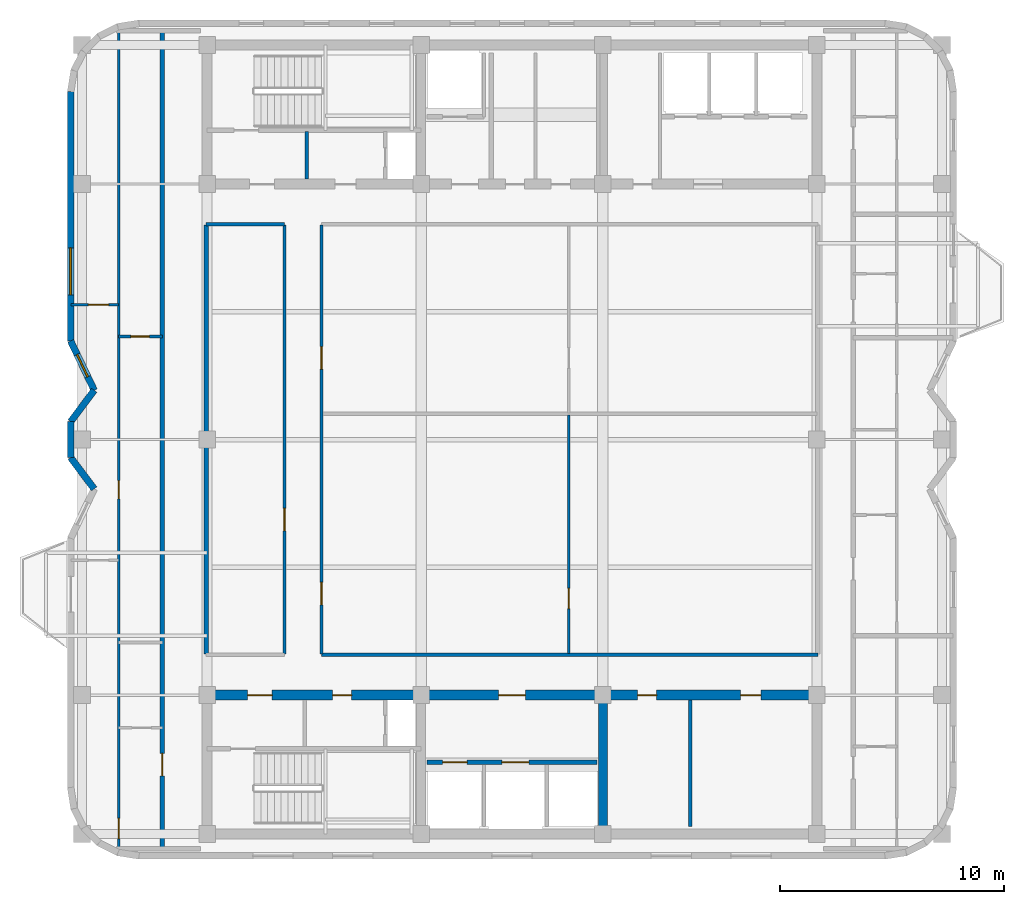
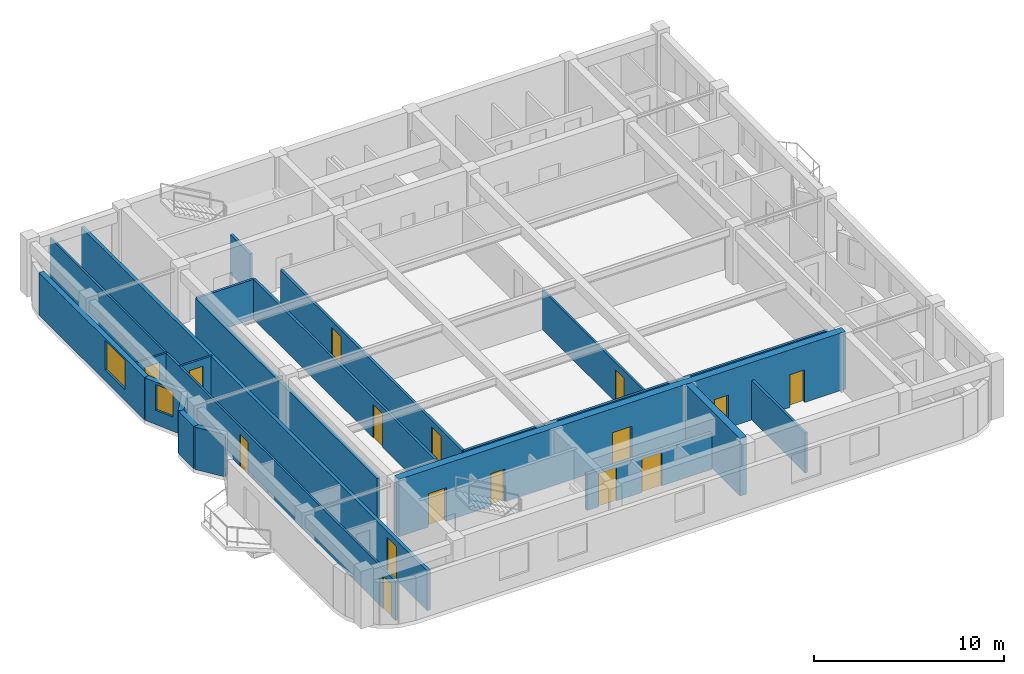
# One storey, part 3 of 8: 20 walls, 16 doors, 2 windows, 18 openings.
"""IFC4 building model written with IfcOpenShell, lengths in metres."""

import ifcopenshell
import ifcopenshell.guid

model = None  # the IFC model being written
_history = None  # IfcOwnerHistory: only IFC2X3 demands one
_inside = {}  # id of a spatial element -> (the spatial element, [elements in it])
_under = {}  # id of a project, library or spatial element -> (it, [spatial elements below it])
_declared = {}  # id of a project -> (the project, [libraries it declares])
_typed = {}  # id of a type object -> (the type object, [elements of that type])
_made_of = {}  # id of a material, layer set ... -> (it, [elements and type objects made of it])


def new_model(schema):
    """Start an empty IFC model of exactly this schema.

    Asked for "IFC4X3", IfcOpenShell would pick the latest addendum, in which some entities
    have other attributes; the version numbers below select the first issue.
    IFC2X3 requires an IfcOwnerHistory on every rooted entity: one is made here for all.
    """
    global model, _history
    if schema == "IFC4X3":
        model = ifcopenshell.file(schema_version=(4, 3, 0, 0))
    else:
        model = ifcopenshell.file(schema=schema)
    _inside.clear()
    _under.clear()
    _declared.clear()
    _typed.clear()
    _made_of.clear()
    _history = None
    if model.schema == "IFC2X3":
        org = make("IfcOrganization", Name="unknown")
        user = make(
            "IfcPersonAndOrganization",
            ThePerson=make("IfcPerson", FamilyName="unknown"),
            TheOrganization=org,
        )
        app = make(
            "IfcApplication",
            ApplicationDeveloper=org,
            Version="unknown",
            ApplicationFullName="unknown",
            ApplicationIdentifier="unknown",
        )
        _history = make(
            "IfcOwnerHistory",
            OwningUser=user,
            OwningApplication=app,
            ChangeAction="ADDED",
            CreationDate=0,
        )
    return model


def make(cls, **values):
    """One entity of the class cls with the attributes given. An attribute that is None is left unset."""
    return model.create_entity(
        cls, **{name: value for name, value in values.items() if value is not None}
    )


def rooted(cls, **values):
    """An entity with a GlobalId (a new one), such as an element, a storey or a relation."""
    return make(cls, GlobalId=ifcopenshell.guid.new(), OwnerHistory=_history, **values)


def si_unit(unit_type, name, prefix=None):
    """IfcSIUnit, for example si_unit("LENGTHUNIT", "METRE", prefix="MILLI")."""
    return make("IfcSIUnit", UnitType=unit_type, Prefix=prefix, Name=name)


def assignment(units):
    """IfcUnitAssignment: the units of a project."""
    return None if units is None else make("IfcUnitAssignment", Units=units)


def point(xyz):
    """IfcCartesianPoint."""
    return None if xyz is None else make("IfcCartesianPoint", Coordinates=xyz)


def direction(xyz):
    """IfcDirection."""
    return None if xyz is None else make("IfcDirection", DirectionRatios=xyz)


def frame(location, z_axis=None, x_axis=None):
    """IfcAxis2Placement3D, a coordinate frame: its origin and axes. An axis left out is left unset."""
    return make(
        "IfcAxis2Placement3D",
        Location=point(location),
        Axis=direction(z_axis),
        RefDirection=direction(x_axis),
    )


def frame_2d(location, x_axis=None):
    """IfcAxis2Placement2D, a coordinate frame in the plane: its origin and x axis."""
    return make(
        "IfcAxis2Placement2D", Location=point(location), RefDirection=direction(x_axis)
    )


def origin():
    """The frame at (0, 0, 0) with its axes left unset."""
    return frame((0.0, 0.0, 0.0))


def place(relative_to, where):
    """IfcLocalPlacement: puts the frame where relative to a parent placement (None: the world)."""
    return make(
        "IfcLocalPlacement", PlacementRelTo=relative_to, RelativePlacement=where
    )


def context(
    kind, dimensions, precision=None, world=None, true_north=None, identifier=None
):
    """IfcGeometricRepresentationContext, for example the 3D "Model" context."""
    return make(
        "IfcGeometricRepresentationContext",
        ContextIdentifier=identifier,
        ContextType=kind,
        CoordinateSpaceDimension=dimensions,
        Precision=precision,
        WorldCoordinateSystem=world,
        TrueNorth=true_north,
    )


def subcontext(parent, identifier, kind, view, scale=None):
    """IfcGeometricRepresentationSubContext, for example "Body" below "Model"."""
    return make(
        "IfcGeometricRepresentationSubContext",
        ContextIdentifier=identifier,
        ContextType=kind,
        ParentContext=parent,
        TargetScale=scale,
        TargetView=view,
    )


def project(units=None, contexts=None):
    """IfcProject with its units and contexts."""
    return rooted(
        "IfcProject",
        Name="project",
        RepresentationContexts=contexts,
        UnitsInContext=assignment(units),
    )


def spatial(cls, under=None, at=None, **own):
    """A site, building, storey or space (cls), placed at a placement, below another one or the project."""
    s = rooted(cls, ObjectPlacement=at, **own)
    if under is not None:
        _under.setdefault(under.id(), (under, []))[1].append(s)
    return s


def profile(cls, at=None, kind="AREA", **sizes):
    """A parametric profile (cls). Its sizes go by their IFC names, for example OverallWidth=200.0."""
    return make(cls, ProfileType=kind, Position=at, **sizes)


def rectangle(**sizes):
    """IfcRectangleProfileDef."""
    return profile("IfcRectangleProfileDef", **sizes)


def extrude(swept, where, along, depth):
    """IfcExtrudedAreaSolid: the profile swept, set in the frame where, extruded along a direction by depth."""
    return make(
        "IfcExtrudedAreaSolid",
        SweptArea=swept,
        Position=where,
        ExtrudedDirection=direction(along),
        Depth=depth,
    )


def shape(context_of_items, identifier, shape_type, items):
    """IfcShapeRepresentation: the items that make up one representation, for example the "Body"."""
    return make(
        "IfcShapeRepresentation",
        ContextOfItems=context_of_items,
        RepresentationIdentifier=identifier,
        RepresentationType=shape_type,
        Items=items,
    )


def material(Name=None, Category=None):
    """IfcMaterial."""
    return make("IfcMaterial", Name=Name, Category=Category)


def layer(
    of_material, thickness, ventilated=None, Name=None, Category=None, Priority=None
):
    """IfcMaterialLayer: one layer of a wall or slab, of a material (None: an air gap)."""
    return make(
        "IfcMaterialLayer",
        Material=of_material,
        LayerThickness=thickness,
        IsVentilated=ventilated,
        Name=Name,
        Category=Category,
        Priority=Priority,
    )


def layer_set(layers, Name=None):
    """IfcMaterialLayerSet."""
    return make("IfcMaterialLayerSet", MaterialLayers=layers, LayerSetName=Name)


def made_of(thing, what):
    """Note that an element or type object is made of a material, layer set ...; save() writes the relation."""
    if what is not None:
        _made_of.setdefault(what.id(), (what, []))[1].append(thing)
    return thing


def type_object(cls, material=None, **own):
    """A type object (cls), such as IfcWallType, which elements share."""
    return made_of(rooted(cls, **own), material)


def element(
    cls,
    number,
    at=None,
    inside=None,
    cuts=None,
    type_object=None,
    material=None,
    context=None,
    identifier="Body",
    shape_type=None,
    held_by="IfcProductDefinitionShape",
    body=None,
    shapes=None,
    **own,
):
    """One element of the class cls, such as IfcWall. Its Tag is "e" and its number.

    at: its placement. inside: the storey or other place that contains it. cuts: it is an
    opening in that element (IfcRelVoidsElement). A single representation is given by context,
    identifier, shape_type and body (its items); several are given by shapes. held_by: the class
    of the entity that holds the representations. save() writes the other relations.
    """
    e = rooted(cls, Tag="e%d" % number, ObjectPlacement=at, **own)
    if body is not None:
        shapes = [shape(context, identifier, shape_type, body)]
    if shapes is not None:
        e.Representation = make(held_by, Representations=shapes)
    if inside is not None:
        _inside.setdefault(inside.id(), (inside, []))[1].append(e)
    if cuts is not None:
        rooted(
            "IfcRelVoidsElement", RelatingBuildingElement=cuts, RelatedOpeningElement=e
        )
    if type_object is not None:
        _typed.setdefault(type_object.id(), (type_object, []))[1].append(e)
    return made_of(e, material)


def fill(opening, filler):
    """IfcRelFillsElement: the door or window that sits in an opening."""
    return rooted(
        "IfcRelFillsElement",
        RelatingOpeningElement=opening,
        RelatedBuildingElement=filler,
    )


def aggregate(whole, parts):
    """IfcRelAggregates: a whole, such as a stair, and the parts it consists of."""
    return rooted("IfcRelAggregates", RelatingObject=whole, RelatedObjects=parts)


def save(model, path):
    """Write the relations noted so far, then the file.

    IfcRelAggregates (storeys below a building ...), IfcRelContainedInSpatialStructure (elements
    in a storey), IfcRelDefinesByType, IfcRelAssociatesMaterial and IfcRelDeclares: one each for
    every whole, place, type object, material and project.
    """
    for whole, parts in _under.values():
        aggregate(whole, parts)
    for where, things in _inside.values():
        rooted(
            "IfcRelContainedInSpatialStructure",
            RelatedElements=things,
            RelatingStructure=where,
        )
    for kind, things in _typed.values():
        rooted("IfcRelDefinesByType", RelatedObjects=things, RelatingType=kind)
    for what, things in _made_of.values():
        rooted("IfcRelAssociatesMaterial", RelatedObjects=things, RelatingMaterial=what)
    for by, libraries in _declared.values():
        rooted("IfcRelDeclares", RelatingContext=by, RelatedDefinitions=libraries)
    model.write(path)


model = new_model("IFC4")

# Units and contexts
model_context = context("Model", 3, precision=1e-05, world=origin(), true_north=direction((0.0, 1.0)))
body_context = subcontext(model_context, "Body", "Model", "MODEL_VIEW")
ifc_project = project(units=[si_unit("LENGTHUNIT", "METRE"), si_unit("AREAUNIT", "SQUARE_METRE"), si_unit("VOLUMEUNIT", "CUBIC_METRE"), si_unit("PLANEANGLEUNIT", "RADIAN"), si_unit("MASSUNIT", "GRAM", prefix="KILO")], contexts=[model_context])

# Site, building, storey
site_placement = place(None, origin())
site = spatial("IfcSite", under=ifc_project, at=site_placement, CompositionType="ELEMENT")
building_placement = place(site_placement, origin())
building = spatial("IfcBuilding", under=site, at=building_placement, Name="Svetorya Sky Lyceum", CompositionType="ELEMENT")
storey_placement = place(building_placement, frame((0.0, 0.0, 278.699951171875)))
storey = spatial("IfcBuildingStorey", under=building, at=storey_placement, Name="L70", CompositionType="ELEMENT", Elevation=278.699951171875)

# Wall
ifc_material_1 = material(Name="Concrete C40/50", Category="concrete")
ifc_layer_1 = layer(ifc_material_1, 0.39990234375)
ifc_layer_set_1 = layer_set([ifc_layer_1], Name="Concrete C40/50")
wall_type_1 = type_object("IfcWallType", Name="WL-CORE-400", PredefinedType="SHEAR", material=ifc_layer_set_1)
wall_1_placement = place(storey_placement, frame((43.25, 10.824951171875, 0.0), z_axis=(0.0, 0.0, 1.0), x_axis=(0.0, 1.0, 0.0)))
element("IfcWall", 1, at=wall_1_placement, inside=storey, type_object=wall_type_1, Name="L70 SC Internal Shear Web WEB2", PredefinedType="SHEAR", context=body_context, shape_type="SweptSolid", body=[
    extrude(rectangle(XDim=5.75, YDim=0.39990234375, at=frame_2d((2.875, 0.0))), origin(), (0.0, 0.0, 1.0), 3.699951171875),
])

# Wall, openings, doors
ifc_material_2 = material(Name="Concrete C50/60", Category="concrete")
ifc_layer_2 = layer(ifc_material_2, 0.449951171875)
ifc_layer_set_2 = layer_set([ifc_layer_2], Name="Concrete C50/60")
wall_type_2 = type_object("IfcWallType", Name="WL-CORE-450", PredefinedType="SHEAR", material=ifc_layer_set_2)
wall_2_placement = place(storey_placement, frame((25.60009765625, 16.800048828125, 0.0), z_axis=(0.0, 0.0, 1.0), x_axis=(1.0, 0.0, 0.0)))
wall_2 = element("IfcWall", 2, at=wall_2_placement, inside=storey, type_object=wall_type_2, Name="L70 SC Inner Core Shear Wall", PredefinedType="SHEAR", context=body_context, shape_type="SweptSolid", body=[
    extrude(rectangle(XDim=27.199951171875, YDim=0.449951171875, at=frame_2d((13.60009765625, 0.0))), origin(), (0.0, 0.0, 1.0), 3.699951171875),
])
opening_1_placement = place(wall_2_placement, frame((1.800048828125, 0.0, 0.0)))
opening_1 = element("IfcOpeningElement", 3, at=opening_1_placement, cuts=wall_2, Name="Opening D-ST1", PredefinedType="OPENING", context=body_context, shape_type="SweptSolid", body=[
    extrude(rectangle(XDim=1.10009765625, YDim=2.14990234375, at=frame_2d((0.550048828125, 1.074951171875))), frame((0.0, 0.23486328125, 0.0), z_axis=(0.0, -1.0, 0.0), x_axis=(1.0, 0.0, 0.0)), (0.0, 0.0, 1.0), 0.469970703125),
])
opening_2_placement = place(wall_2_placement, frame((5.60009765625, 0.0, 0.0)))
opening_2 = element("IfcOpeningElement", 4, at=opening_2_placement, cuts=wall_2, Name="Opening D-CWC1", PredefinedType="OPENING", context=body_context, shape_type="SweptSolid", body=[
    extrude(rectangle(XDim=0.85009765625, YDim=2.10009765625, at=frame_2d((0.425048828125, 1.050048828125))), frame((0.0, 0.23486328125, 0.0), z_axis=(0.0, -1.0, 0.0), x_axis=(1.0, 0.0, 0.0)), (0.0, 0.0, 1.0), 0.469970703125),
])
opening_3_placement = place(wall_2_placement, frame((13.0, 0.0, 0.0)))
opening_3 = element("IfcOpeningElement", 5, at=opening_3_placement, cuts=wall_2, Name="Opening D-FL1", PredefinedType="OPENING", context=body_context, shape_type="SweptSolid", body=[
    extrude(rectangle(XDim=1.199951171875, YDim=2.14990234375, at=frame_2d((0.60009765625, 1.074951171875))), frame((0.0, 0.23486328125, 0.0), z_axis=(0.0, -1.0, 0.0), x_axis=(1.0, 0.0, 0.0)), (0.0, 0.0, 1.0), 0.469970703125),
])
opening_4_placement = place(wall_2_placement, frame((19.199951171875, 0.0, 0.0)))
opening_4 = element("IfcOpeningElement", 6, at=opening_4_placement, cuts=wall_2, Name="Opening D-CWC1", PredefinedType="OPENING", context=body_context, shape_type="SweptSolid", body=[
    extrude(rectangle(XDim=0.85009765625, YDim=2.10009765625, at=frame_2d((0.425048828125, 1.050048828125))), frame((0.0, 0.23486328125, 0.0), z_axis=(0.0, -1.0, 0.0), x_axis=(1.0, 0.0, 0.0)), (0.0, 0.0, 1.0), 0.469970703125),
])
opening_5_placement = place(wall_2_placement, frame((23.800048828125, 0.0, 0.0)))
opening_5 = element("IfcOpeningElement", 7, at=opening_5_placement, cuts=wall_2, Name="Opening D-RM1", PredefinedType="OPENING", context=body_context, shape_type="SweptSolid", body=[
    extrude(rectangle(XDim=0.89990234375, YDim=2.10009765625, at=frame_2d((0.449951171875, 1.050048828125))), frame((0.0, 0.23486328125, 0.0), z_axis=(0.0, -1.0, 0.0), x_axis=(1.0, 0.0, 0.0)), (0.0, 0.0, 1.0), 0.469970703125),
])
ifc_material_3 = material(Name="Fire-rated galvanized steel core service closet door", Category="steel")
door_type_1 = type_object("IfcDoorType", Name="DR-CWET-850", OperationType="SINGLE_SWING_LEFT", PredefinedType="DOOR", material=ifc_material_3)
door_1_placement = place(opening_2_placement, origin())
door_1 = element("IfcDoor", 8, at=door_1_placement, inside=storey, type_object=door_type_1, Name="L70 South Hydrant Room Door", OperationType="SINGLE_SWING_LEFT", OverallHeight=2.10009765625, OverallWidth=0.85009765625, PredefinedType="DOOR", context=body_context, shape_type="SweptSolid", body=[
    extrude(rectangle(XDim=0.85009765625, YDim=2.10009765625, at=frame_2d((0.425048828125, 1.050048828125))), frame((0.0, 0.02490234375, 0.0), z_axis=(0.0, -1.0, 0.0), x_axis=(1.0, 0.0, 0.0)), (0.0, 0.0, 1.0), 0.050048828125),
])
fill(opening_2, door_1)
door_2_placement = place(opening_4_placement, origin())
door_2 = element("IfcDoor", 9, at=door_2_placement, inside=storey, type_object=door_type_1, Name="L70 Laundry Door", OperationType="SINGLE_SWING_RIGHT", OverallHeight=2.10009765625, OverallWidth=0.85009765625, PredefinedType="DOOR", context=body_context, shape_type="SweptSolid", body=[
    extrude(rectangle(XDim=0.85009765625, YDim=2.10009765625, at=frame_2d((0.425048828125, 1.050048828125))), frame((0.0, 0.02490234375, 0.0), z_axis=(0.0, -1.0, 0.0), x_axis=(1.0, 0.0, 0.0)), (0.0, 0.0, 1.0), 0.050048828125),
])
fill(opening_4, door_2)
ifc_material_4 = material(Name="Powder-coated insulated galvanized stair fire door")
door_type_2 = type_object("IfcDoorType", Name="DR-FIRE-1100", OperationType="SINGLE_SWING_LEFT", PredefinedType="DOOR", material=ifc_material_4)
door_3_placement = place(opening_1_placement, origin())
door_3 = element("IfcDoor", 10, at=door_3_placement, inside=storey, type_object=door_type_2, Name="L70 South Stair Airlock Door", OperationType="SINGLE_SWING_RIGHT", OverallHeight=2.14990234375, OverallWidth=1.10009765625, PredefinedType="DOOR", context=body_context, shape_type="SweptSolid", body=[
    extrude(rectangle(XDim=1.10009765625, YDim=2.14990234375, at=frame_2d((0.550048828125, 1.074951171875))), frame((0.0, 0.02490234375, 0.0), z_axis=(0.0, -1.0, 0.0), x_axis=(1.0, 0.0, 0.0)), (0.0, 0.0, 1.0), 0.050048828125),
])
fill(opening_1, door_3)
ifc_material_5 = material(Name="Powder-coated insulated galvanized fire door")
door_type_3 = type_object("IfcDoorType", Name="DR-FIRE-1200", OperationType="SINGLE_SWING_LEFT", PredefinedType="DOOR", material=ifc_material_5)
door_4_placement = place(opening_3_placement, origin())
door_4 = element("IfcDoor", 11, at=door_4_placement, inside=storey, type_object=door_type_3, Name="L70 South Firefighting Lift Lobby Door", OperationType="SINGLE_SWING_LEFT", OverallHeight=2.14990234375, OverallWidth=1.199951171875, PredefinedType="DOOR", context=body_context, shape_type="SweptSolid", body=[
    extrude(rectangle(XDim=1.199951171875, YDim=2.14990234375, at=frame_2d((0.60009765625, 1.074951171875))), frame((0.0, 0.02490234375, 0.0), z_axis=(0.0, -1.0, 0.0), x_axis=(1.0, 0.0, 0.0)), (0.0, 0.0, 1.0), 0.050048828125),
])
fill(opening_3, door_4)
ifc_material_6 = material(Name="Lacquered birch veneer internal door")
door_type_4 = type_object("IfcDoorType", Name="DR-INT-900", OperationType="SINGLE_SWING_LEFT", PredefinedType="DOOR", material=ifc_material_6)
door_5_placement = place(opening_5_placement, origin())
door_5 = element("IfcDoor", 12, at=door_5_placement, inside=storey, type_object=door_type_4, Name="L70 Pantry Door", OperationType="SINGLE_SWING_LEFT", OverallHeight=2.10009765625, OverallWidth=0.89990234375, PredefinedType="DOOR", context=body_context, shape_type="SweptSolid", body=[
    extrude(rectangle(XDim=0.89990234375, YDim=2.10009765625, at=frame_2d((0.449951171875, 1.050048828125))), frame((0.0, 0.02490234375, 0.0), z_axis=(0.0, -1.0, 0.0), x_axis=(1.0, 0.0, 0.0)), (0.0, 0.0, 1.0), 0.050048828125),
])
fill(opening_5, door_5)

# Wall, opening, window
ifc_material_7 = material(Name="Putilovo limestone rainscreen on autoclaved cellular masonry", Category="masonry")
ifc_layer_3 = layer(ifc_material_7, 0.300048828125)
ifc_layer_set_3 = layer_set([ifc_layer_3], Name="Putilovo limestone rainscreen on autoclaved cellular masonry")
wall_type_3 = type_object("IfcWallType", Name="WL-EXT-300", PredefinedType="SOLIDWALL", material=ifc_layer_set_3)
wall_3_placement = place(storey_placement, frame((19.510009765625, 43.719970703125, 0.0), z_axis=(0.0, 0.0, 1.0), x_axis=(0.0, -1.0, 0.0)))
wall_3 = element("IfcWall", 13, at=wall_3_placement, inside=storey, type_object=wall_type_3, Name="L70 Limestone Exterior Wall 30M", PredefinedType="SOLIDWALL", context=body_context, shape_type="SweptSolid", body=[
    extrude(rectangle(XDim=11.119873046875, YDim=0.300048828125, at=frame_2d((5.56005859375, 0.0))), origin(), (0.0, 0.0, 1.0), 2.72998046875),
])
opening_6_placement = place(wall_3_placement, frame((6.965087890625, 0.0, 0.7099609375)))
opening_6 = element("IfcOpeningElement", 14, at=opening_6_placement, cuts=wall_3, Name="Opening W-R0", PredefinedType="OPENING", context=body_context, shape_type="SweptSolid", body=[
    extrude(rectangle(XDim=2.10009765625, YDim=1.89990234375, at=frame_2d((1.050048828125, 0.949951171875))), frame((0.0, 0.159912109375, 0.0), z_axis=(0.0, -1.0, 0.0), x_axis=(1.0, 0.0, 0.0)), (0.0, 0.0, 1.0), 0.320068359375),
])
ifc_material_8 = material(Name="Thermally broken aluminium frame with triple low-E glazing", Category="aluminium")
window_type_1 = type_object("IfcWindowType", Name="WN-RES-210", PartitioningType="TRIPLE_PANEL_VERTICAL", PredefinedType="WINDOW", material=ifc_material_8)
window_1_placement = place(opening_6_placement, origin())
window_1 = element("IfcWindow", 15, at=window_1_placement, inside=storey, type_object=window_type_1, Name="L70 Facade Window W-R0.30M.1", OverallHeight=1.89990234375, OverallWidth=2.10009765625, PartitioningType="SINGLE_PANEL", PredefinedType="WINDOW", context=body_context, shape_type="SweptSolid", body=[
    extrude(rectangle(XDim=2.10009765625, YDim=1.89990234375, at=frame_2d((1.050048828125, 0.949951171875))), frame((0.0, 0.030029296875, 0.0), z_axis=(0.0, -1.0, 0.0), x_axis=(1.0, 0.0, 0.0)), (0.0, 0.0, 1.0), 0.06005859375),
])
fill(opening_6, window_1)

wall_4_placement = place(storey_placement, frame((19.510009765625, 32.60009765625, 0.0), z_axis=(0.0, 0.0, 1.0), x_axis=(0.430714756408, -0.902488115496, 0.0)))
wall_4 = element("IfcWall", 16, at=wall_4_placement, inside=storey, type_object=wall_type_3, Name="L70 Limestone Exterior Wall 31M", PredefinedType="SOLIDWALL", context=body_context, shape_type="SweptSolid", body=[
    extrude(rectangle(XDim=2.43798828125, YDim=0.300048828125, at=frame_2d((1.218994140625, 0.0))), origin(), (0.0, 0.0, 1.0), 2.72998046875),
])
opening_7_placement = place(wall_4_placement, frame((0.6689453125, 0.0, 0.919921875)))
opening_7 = element("IfcOpeningElement", 17, at=opening_7_placement, cuts=wall_4, Name="Opening W-R3", PredefinedType="OPENING", context=body_context, shape_type="SweptSolid", body=[
    extrude(rectangle(XDim=1.10009765625, YDim=1.64990234375, at=frame_2d((0.550048828125, 0.824951171875))), frame((0.0, 0.159912109375, 0.0), z_axis=(0.0, -1.0, 0.0), x_axis=(1.0, 0.0, 0.0)), (0.0, 0.0, 1.0), 0.320068359375),
])
window_type_2 = type_object("IfcWindowType", Name="WN-RES-110", PartitioningType="SINGLE_PANEL", PredefinedType="WINDOW", material=ifc_material_8)
window_2_placement = place(opening_7_placement, origin())
window_2 = element("IfcWindow", 18, at=window_2_placement, inside=storey, type_object=window_type_2, Name="L70 Facade Window W-R3.31M.1", OverallHeight=1.64990234375, OverallWidth=1.10009765625, PartitioningType="SINGLE_PANEL", PredefinedType="WINDOW", context=body_context, shape_type="SweptSolid", body=[
    extrude(rectangle(XDim=1.10009765625, YDim=1.64990234375, at=frame_2d((0.550048828125, 0.824951171875))), frame((0.0, 0.030029296875, 0.0), z_axis=(0.0, -1.0, 0.0), x_axis=(1.0, 0.0, 0.0)), (0.0, 0.0, 1.0), 0.06005859375),
])
fill(opening_7, window_2)

# Walls
wall_5_placement = place(storey_placement, frame((20.56005859375, 30.39990234375, 0.0), z_axis=(0.0, 0.0, 1.0), x_axis=(-0.600044643168, -0.799966515677, 0.0)))
element("IfcWall", 19, at=wall_5_placement, inside=storey, type_object=wall_type_3, Name="L70 Limestone Exterior Wall 32M", PredefinedType="SOLIDWALL", context=body_context, shape_type="SweptSolid", body=[
    extrude(rectangle(XDim=1.75, YDim=0.300048828125, at=frame_2d((0.875, 0.0))), origin(), (0.0, 0.0, 1.0), 2.72998046875),
])
wall_6_placement = place(storey_placement, frame((19.510009765625, 29.0, 0.0), z_axis=(0.0, 0.0, 1.0), x_axis=(0.0, -1.0, 0.0)))
element("IfcWall", 20, at=wall_6_placement, inside=storey, type_object=wall_type_3, Name="L70 Limestone Exterior Wall 33M", PredefinedType="SOLIDWALL", context=body_context, shape_type="SweptSolid", body=[
    extrude(rectangle(XDim=1.60009765625, YDim=0.300048828125, at=frame_2d((0.800048828125, 0.0))), origin(), (0.0, 0.0, 1.0), 2.72998046875),
])
wall_7_placement = place(storey_placement, frame((19.510009765625, 27.39990234375, 0.0), z_axis=(0.0, 0.0, 1.0), x_axis=(0.600044643168, -0.799966515677, 0.0)))
element("IfcWall", 21, at=wall_7_placement, inside=storey, type_object=wall_type_3, Name="L70 Limestone Exterior Wall 34M", PredefinedType="SOLIDWALL", context=body_context, shape_type="SweptSolid", body=[
    extrude(rectangle(XDim=1.75, YDim=0.300048828125, at=frame_2d((0.875, 0.0))), origin(), (0.0, 0.0, 1.0), 2.72998046875),
])

# Wall, opening, door
ifc_material_9 = material(Name="Twin-stud galvanized framing with double fireboard", Category="gypsum")
ifc_layer_4 = layer(ifc_material_9, 0.1201171875)
ifc_layer_set_4 = layer_set([ifc_layer_4], Name="Twin-stud galvanized framing with double fireboard")
wall_type_4 = type_object("IfcWallType", Name="WL-PART-120", PredefinedType="PARTITIONING", material=ifc_layer_set_4)
wall_8_placement = place(storey_placement, frame((41.735107421875, 18.659912109375, 0.0), z_axis=(0.0, 0.0, 1.0), x_axis=(0.0, 1.0, 0.0)))
wall_8 = element("IfcWall", 22, at=wall_8_placement, inside=storey, type_object=wall_type_4, Name="L70 Interior Partition OFF-VEM1", PredefinedType="PARTITIONING", context=body_context, shape_type="SweptSolid", body=[
    extrude(rectangle(XDim=10.6484375, YDim=0.1201171875, at=frame_2d((5.32421875, 0.0))), origin(), (0.0, 0.0, 1.0), 2.56005859375),
])
opening_8_placement = place(wall_8_placement, frame((2.0, 0.0, 0.0)))
opening_8 = element("IfcOpeningElement", 23, at=opening_8_placement, cuts=wall_8, Name="Opening D-RM1", PredefinedType="OPENING", context=body_context, shape_type="SweptSolid", body=[
    extrude(rectangle(XDim=0.89990234375, YDim=2.10009765625, at=frame_2d((0.449951171875, 1.050048828125))), frame((0.0, 0.070068359375, 0.0), z_axis=(0.0, -1.0, 0.0), x_axis=(1.0, 0.0, 0.0)), (0.0, 0.0, 1.0), 0.14013671875),
])
door_6_placement = place(opening_8_placement, origin())
door_6 = element("IfcDoor", 24, at=door_6_placement, inside=storey, type_object=door_type_4, Name="L70 East Study Door", OperationType="SINGLE_SWING_LEFT", OverallHeight=2.10009765625, OverallWidth=0.89990234375, PredefinedType="DOOR", context=body_context, shape_type="SweptSolid", body=[
    extrude(rectangle(XDim=0.89990234375, YDim=2.10009765625, at=frame_2d((0.449951171875, 1.050048828125))), frame((0.0, 0.02490234375, 0.0), z_axis=(0.0, -1.0, 0.0), x_axis=(1.0, 0.0, 0.0)), (0.0, 0.0, 1.0), 0.050048828125),
])
fill(opening_8, door_6)

wall_9_placement = place(storey_placement, frame((21.64990234375, 32.800048828125, 0.0), z_axis=(0.0, 0.0, 1.0), x_axis=(1.0, 0.0, 0.0)))
wall_9 = element("IfcWall", 25, at=wall_9_placement, inside=storey, type_object=wall_type_4, Name="L70 Interior Partition W1-WH3", PredefinedType="PARTITIONING", context=body_context, shape_type="SweptSolid", body=[
    extrude(rectangle(XDim=1.9501953125, YDim=0.1201171875, at=frame_2d((0.97509765625, 0.0))), origin(), (0.0, 0.0, 1.0), 2.56005859375),
])
opening_9_placement = place(wall_9_placement, frame((0.550048828125, 0.0, 0.0)))
opening_9 = element("IfcOpeningElement", 26, at=opening_9_placement, cuts=wall_9, Name="Opening D-BT2", PredefinedType="OPENING", context=body_context, shape_type="SweptSolid", body=[
    extrude(rectangle(XDim=0.820068359375, YDim=2.080078125, at=frame_2d((0.41015625, 1.0400390625))), frame((0.0, 0.070068359375, 0.0), z_axis=(0.0, -1.0, 0.0), x_axis=(1.0, 0.0, 0.0)), (0.0, 0.0, 1.0), 0.14013671875),
])
ifc_material_10 = material(Name="Compact moisture-resistant laminate closet door")
door_type_5 = type_object("IfcDoorType", Name="DR-WET-820", OperationType="SINGLE_SWING_LEFT", PredefinedType="DOOR", material=ifc_material_10)
door_7_placement = place(opening_9_placement, origin())
door_7 = element("IfcDoor", 27, at=door_7_placement, inside=storey, type_object=door_type_5, Name="Apartment W1 Laundry Door", OperationType="SINGLE_SWING_RIGHT", OverallHeight=2.080078125, OverallWidth=0.820068359375, PredefinedType="DOOR", context=body_context, shape_type="SweptSolid", body=[
    extrude(rectangle(XDim=0.820068359375, YDim=2.080078125, at=frame_2d((0.41015625, 1.0400390625))), frame((0.0, 0.02490234375, 0.0), z_axis=(0.0, -1.0, 0.0), x_axis=(1.0, 0.0, 0.0)), (0.0, 0.0, 1.0), 0.050048828125),
])
fill(opening_9, door_7)

wall_10_placement = place(storey_placement, frame((19.530029296875, 34.219970703125, 0.0), z_axis=(0.0, 0.0, 1.0), x_axis=(1.0, 0.0, 0.0)))
wall_10 = element("IfcWall", 28, at=wall_10_placement, inside=storey, type_object=wall_type_4, Name="L70 Interior Partition W1-WL2", PredefinedType="PARTITIONING", context=body_context, shape_type="SweptSolid", body=[
    extrude(rectangle(XDim=2.119873046875, YDim=0.1201171875, at=frame_2d((1.06005859375, 0.0))), origin(), (0.0, 0.0, 1.0), 2.56005859375),
])
opening_10_placement = place(wall_10_placement, frame((0.77001953125, 0.0, 0.0)))
opening_10 = element("IfcOpeningElement", 29, at=opening_10_placement, cuts=wall_10, Name="Opening D-RM1", PredefinedType="OPENING", context=body_context, shape_type="SweptSolid", body=[
    extrude(rectangle(XDim=0.89990234375, YDim=2.10009765625, at=frame_2d((0.449951171875, 1.050048828125))), frame((0.0, 0.070068359375, 0.0), z_axis=(0.0, -1.0, 0.0), x_axis=(1.0, 0.0, 0.0)), (0.0, 0.0, 1.0), 0.14013671875),
])
door_8_placement = place(opening_10_placement, origin())
door_8 = element("IfcDoor", 30, at=door_8_placement, inside=storey, type_object=door_type_4, Name="Apartment W1 Bedroom 2 Door", OperationType="SINGLE_SWING_RIGHT", OverallHeight=2.10009765625, OverallWidth=0.89990234375, PredefinedType="DOOR", context=body_context, shape_type="SweptSolid", body=[
    extrude(rectangle(XDim=0.89990234375, YDim=2.10009765625, at=frame_2d((0.449951171875, 1.050048828125))), frame((0.0, 0.02490234375, 0.0), z_axis=(0.0, -1.0, 0.0), x_axis=(1.0, 0.0, 0.0)), (0.0, 0.0, 1.0), 0.050048828125),
])
fill(opening_10, door_8)

# Wall, openings, doors
wall_11_placement = place(storey_placement, frame((21.64990234375, 9.989990234375, 0.0), z_axis=(0.0, 0.0, 1.0), x_axis=(0.0, 1.0, 0.0)))
wall_11 = element("IfcWall", 31, at=wall_11_placement, inside=storey, type_object=wall_type_4, Name="L70 Interior Partition W1-WV", PredefinedType="PARTITIONING", context=body_context, shape_type="SweptSolid", body=[
    extrude(rectangle(XDim=36.419921875, YDim=0.1201171875, at=frame_2d((18.2099609375, 0.0))), origin(), (0.0, 0.0, 1.0), 2.56005859375),
])
opening_11_placement = place(wall_11_placement, frame((0.409912109375, 0.0, 0.0)))
opening_11 = element("IfcOpeningElement", 32, at=opening_11_placement, cuts=wall_11, Name="Opening D-RM1", PredefinedType="OPENING", context=body_context, shape_type="SweptSolid", body=[
    extrude(rectangle(XDim=0.89990234375, YDim=2.10009765625, at=frame_2d((0.449951171875, 1.050048828125))), frame((0.0, 0.070068359375, 0.0), z_axis=(0.0, -1.0, 0.0), x_axis=(1.0, 0.0, 0.0)), (0.0, 0.0, 1.0), 0.14013671875),
])
opening_12_placement = place(wall_11_placement, frame((15.56005859375, 0.0, 0.0)))
opening_12 = element("IfcOpeningElement", 33, at=opening_12_placement, cuts=wall_11, Name="Opening D-BT2", PredefinedType="OPENING", context=body_context, shape_type="SweptSolid", body=[
    extrude(rectangle(XDim=0.820068359375, YDim=2.080078125, at=frame_2d((0.41015625, 1.0400390625))), frame((0.0, 0.070068359375, 0.0), z_axis=(0.0, -1.0, 0.0), x_axis=(1.0, 0.0, 0.0)), (0.0, 0.0, 1.0), 0.14013671875),
])
door_9_placement = place(opening_11_placement, origin())
door_9 = element("IfcDoor", 34, at=door_9_placement, inside=storey, type_object=door_type_4, Name="Apartment W1 Living Door", OperationType="SINGLE_SWING_RIGHT", OverallHeight=2.10009765625, OverallWidth=0.89990234375, PredefinedType="DOOR", context=body_context, shape_type="SweptSolid", body=[
    extrude(rectangle(XDim=0.89990234375, YDim=2.10009765625, at=frame_2d((0.449951171875, 1.050048828125))), frame((0.0, 0.02490234375, 0.0), z_axis=(0.0, -1.0, 0.0), x_axis=(1.0, 0.0, 0.0)), (0.0, 0.0, 1.0), 0.050048828125),
])
fill(opening_11, door_9)
door_10_placement = place(opening_12_placement, origin())
door_10 = element("IfcDoor", 35, at=door_10_placement, inside=storey, type_object=door_type_5, Name="Apartment W1 Study Door", OperationType="SINGLE_SWING_LEFT", OverallHeight=2.080078125, OverallWidth=0.820068359375, PredefinedType="DOOR", context=body_context, shape_type="SweptSolid", body=[
    extrude(rectangle(XDim=0.820068359375, YDim=2.080078125, at=frame_2d((0.41015625, 1.0400390625))), frame((0.0, 0.02490234375, 0.0), z_axis=(0.0, -1.0, 0.0), x_axis=(1.0, 0.0, 0.0)), (0.0, 0.0, 1.0), 0.050048828125),
])
fill(opening_12, door_10)

# Walls
ifc_material_11 = material(Name="Autoclaved cellular masonry blockwork with acoustic render", Category="masonry")
ifc_layer_5 = layer(ifc_material_11, 0.14990234375)
ifc_layer_set_5 = layer_set([ifc_layer_5], Name="Autoclaved cellular masonry blockwork with acoustic render")
wall_type_5 = type_object("IfcWallType", Name="WL-PART-150", PredefinedType="PARTITIONING", material=ifc_layer_set_5)
wall_12_placement = place(storey_placement, frame((47.14990234375, 10.949951171875, 0.0), z_axis=(0.0, 0.0, 1.0), x_axis=(0.0, 1.0, 0.0)))
element("IfcWall", 36, at=wall_12_placement, inside=storey, type_object=wall_type_5, Name="L70 Interior Partition SC-LV7-VA", PredefinedType="PARTITIONING", context=body_context, shape_type="SweptSolid", body=[
    extrude(rectangle(XDim=5.630126953125, YDim=0.14990234375, at=frame_2d((2.81494140625, 0.0))), origin(), (0.0, 0.0, 1.0), 2.56005859375),
])
wall_13_placement = place(storey_placement, frame((30.050048828125, 39.820068359375, 0.0), z_axis=(0.0, 0.0, 1.0), x_axis=(0.0, 1.0, 0.0)))
element("IfcWall", 37, at=wall_13_placement, inside=storey, type_object=wall_type_5, Name="L70 Interior Partition NC-NWD1", PredefinedType="PARTITIONING", context=body_context, shape_type="SweptSolid", body=[
    extrude(rectangle(XDim=2.1298828125, YDim=0.14990234375, at=frame_2d((1.06494140625, 0.0))), origin(), (0.0, 0.0, 1.0), 2.56005859375),
])
wall_14_placement = place(storey_placement, frame((30.699951171875, 18.60009765625, 0.0), z_axis=(0.0, 0.0, 1.0), x_axis=(1.0, 0.0, 0.0)))
element("IfcWall", 38, at=wall_14_placement, inside=storey, type_object=wall_type_5, Name="L70 Interior Partition OFF-CS-E", PredefinedType="PARTITIONING", context=body_context, shape_type="SweptSolid", body=[
    extrude(rectangle(XDim=22.150146484375, YDim=0.14990234375, at=frame_2d((11.0751953125, 0.0))), origin(), (0.0, 0.0, 1.0), 2.56005859375),
])
wall_15_placement = place(storey_placement, frame((25.550048828125, 37.800048828125, 0.0), z_axis=(0.0, 0.0, 1.0), x_axis=(1.0, 0.0, 0.0)))
element("IfcWall", 39, at=wall_15_placement, inside=storey, type_object=wall_type_5, Name="L70 Interior Partition OFF-CN-W", PredefinedType="PARTITIONING", context=body_context, shape_type="SweptSolid", body=[
    extrude(rectangle(XDim=3.5, YDim=0.14990234375, at=frame_2d((1.75, 0.0))), origin(), (0.0, 0.0, 1.0), 2.56005859375),
])

# Wall, opening, door
wall_16_placement = place(storey_placement, frame((29.050048828125, 18.6298828125, 0.0), z_axis=(0.0, 0.0, 1.0), x_axis=(0.0, 1.0, 0.0)))
wall_16 = element("IfcWall", 40, at=wall_16_placement, inside=storey, type_object=wall_type_5, Name="L70 Interior Partition OFF-VW", PredefinedType="PARTITIONING", context=body_context, shape_type="SweptSolid", body=[
    extrude(rectangle(XDim=19.14013671875, YDim=0.14990234375, at=frame_2d((9.570068359375, 0.0))), origin(), (0.0, 0.0, 1.0), 2.56005859375),
])
opening_13_placement = place(wall_16_placement, frame((5.5, 0.0, 0.0)))
opening_13 = element("IfcOpeningElement", 41, at=opening_13_placement, cuts=wall_16, Name="Opening D-RM2", PredefinedType="OPENING", context=body_context, shape_type="SweptSolid", body=[
    extrude(rectangle(XDim=1.0, YDim=2.14990234375, at=frame_2d((0.5, 1.074951171875))), frame((0.0, 0.0849609375, 0.0), z_axis=(0.0, -1.0, 0.0), x_axis=(1.0, 0.0, 0.0)), (0.0, 0.0, 1.0), 0.169921875),
])
ifc_material_12 = material(Name="Solid-core oak acoustic room door")
door_type_6 = type_object("IfcDoorType", Name="DR-INT-1000", OperationType="SINGLE_SWING_LEFT", PredefinedType="DOOR", material=ifc_material_12)
door_11_placement = place(opening_13_placement, origin())
door_11 = element("IfcDoor", 42, at=door_11_placement, inside=storey, type_object=door_type_6, Name="L70 West Office Door", OperationType="SINGLE_SWING_LEFT", OverallHeight=2.14990234375, OverallWidth=1.0, PredefinedType="DOOR", context=body_context, shape_type="SweptSolid", body=[
    extrude(rectangle(XDim=1.0, YDim=2.14990234375, at=frame_2d((0.5, 1.074951171875))), frame((0.0, 0.02490234375, 0.0), z_axis=(0.0, -1.0, 0.0), x_axis=(1.0, 0.0, 0.0)), (0.0, 0.0, 1.0), 0.050048828125),
])
fill(opening_13, door_11)

# Wall, openings, doors
wall_17_placement = place(storey_placement, frame((30.699951171875, 18.6298828125, 0.0), z_axis=(0.0, 0.0, 1.0), x_axis=(0.0, 1.0, 0.0)))
wall_17 = element("IfcWall", 43, at=wall_17_placement, inside=storey, type_object=wall_type_5, Name="L70 Interior Partition OFF-VE", PredefinedType="PARTITIONING", context=body_context, shape_type="SweptSolid", body=[
    extrude(rectangle(XDim=19.14013671875, YDim=0.14990234375, at=frame_2d((9.570068359375, 0.0))), origin(), (0.0, 0.0, 1.0), 2.56005859375),
])
opening_14_placement = place(wall_17_placement, frame((2.199951171875, 0.0, 0.0)))
opening_14 = element("IfcOpeningElement", 44, at=opening_14_placement, cuts=wall_17, Name="Opening D-RM2", PredefinedType="OPENING", context=body_context, shape_type="SweptSolid", body=[
    extrude(rectangle(XDim=1.0, YDim=2.14990234375, at=frame_2d((0.5, 1.074951171875))), frame((0.0, 0.0849609375, 0.0), z_axis=(0.0, -1.0, 0.0), x_axis=(1.0, 0.0, 0.0)), (0.0, 0.0, 1.0), 0.169921875),
])
opening_15_placement = place(wall_17_placement, frame((12.718505859375, 0.0, 0.0)))
opening_15 = element("IfcOpeningElement", 45, at=opening_15_placement, cuts=wall_17, Name="Opening D-RM2", PredefinedType="OPENING", context=body_context, shape_type="SweptSolid", body=[
    extrude(rectangle(XDim=1.0, YDim=2.14990234375, at=frame_2d((0.5, 1.074951171875))), frame((0.0, 0.0849609375, 0.0), z_axis=(0.0, -1.0, 0.0), x_axis=(1.0, 0.0, 0.0)), (0.0, 0.0, 1.0), 0.169921875),
])
door_12_placement = place(opening_14_placement, origin())
door_12 = element("IfcDoor", 46, at=door_12_placement, inside=storey, type_object=door_type_6, Name="L70 Meeting Door", OperationType="SINGLE_SWING_RIGHT", OverallHeight=2.14990234375, OverallWidth=1.0, PredefinedType="DOOR", context=body_context, shape_type="SweptSolid", body=[
    extrude(rectangle(XDim=1.0, YDim=2.14990234375, at=frame_2d((0.5, 1.074951171875))), frame((0.0, 0.02490234375, 0.0), z_axis=(0.0, -1.0, 0.0), x_axis=(1.0, 0.0, 0.0)), (0.0, 0.0, 1.0), 0.050048828125),
])
fill(opening_14, door_12)
door_13_placement = place(opening_15_placement, origin())
door_13 = element("IfcDoor", 47, at=door_13_placement, inside=storey, type_object=door_type_6, Name="L70 North Room Door", OperationType="SINGLE_SWING_LEFT", OverallHeight=2.14990234375, OverallWidth=1.0, PredefinedType="DOOR", context=body_context, shape_type="SweptSolid", body=[
    extrude(rectangle(XDim=1.0, YDim=2.14990234375, at=frame_2d((0.5, 1.074951171875))), frame((0.0, 0.02490234375, 0.0), z_axis=(0.0, -1.0, 0.0), x_axis=(1.0, 0.0, 0.0)), (0.0, 0.0, 1.0), 0.050048828125),
])
fill(opening_15, door_13)

ifc_material_13 = material(Name="Autoclaved cellular masonry blockwork with gypsum plaster", Category="masonry")
ifc_layer_6 = layer(ifc_material_13, 0.199951171875)
ifc_layer_set_6 = layer_set([ifc_layer_6], Name="Autoclaved cellular masonry blockwork with gypsum plaster")
wall_type_6 = type_object("IfcWallType", Name="WL-PART-200", PredefinedType="PARTITIONING", material=ifc_layer_set_6)
wall_18_placement = place(storey_placement, frame((35.39990234375, 13.800048828125, 0.0), z_axis=(0.0, 0.0, 1.0), x_axis=(1.0, 0.0, 0.0)))
wall_18 = element("IfcWall", 48, at=wall_18_placement, inside=storey, type_object=wall_type_6, Name="L70 Interior Partition SC-FLW", PredefinedType="PARTITIONING", context=body_context, shape_type="SweptSolid", body=[
    extrude(rectangle(XDim=7.60009765625, YDim=0.199951171875, at=frame_2d((3.800048828125, 0.0))), origin(), (0.0, 0.0, 1.0), 2.330078125),
])
opening_16_placement = place(wall_18_placement, frame((0.699951171875, 0.0, 0.0)))
opening_16 = element("IfcOpeningElement", 49, at=opening_16_placement, cuts=wall_18, Name="Opening LD-FL", PredefinedType="OPENING", context=body_context, shape_type="SweptSolid", body=[
    extrude(rectangle(XDim=1.10009765625, YDim=2.14990234375, at=frame_2d((0.550048828125, 1.074951171875))), frame((0.0, 0.10986328125, 0.0), z_axis=(0.0, -1.0, 0.0), x_axis=(1.0, 0.0, 0.0)), (0.0, 0.0, 1.0), 0.219970703125),
])
opening_17_placement = place(wall_18_placement, frame((3.35009765625, 0.0, 0.0)))
opening_17 = element("IfcOpeningElement", 50, at=opening_17_placement, cuts=wall_18, Name="Opening LD-SV", PredefinedType="OPENING", context=body_context, shape_type="SweptSolid", body=[
    extrude(rectangle(XDim=1.199951171875, YDim=2.14990234375, at=frame_2d((0.60009765625, 1.074951171875))), frame((0.0, 0.10986328125, 0.0), z_axis=(0.0, -1.0, 0.0), x_axis=(1.0, 0.0, 0.0)), (0.0, 0.0, 1.0), 0.219970703125),
])
ifc_material_14 = material(Name="Fire-rated stainless AISI 304 firefighting lift landing door")
door_type_7 = type_object("IfcDoorType", Name="DR-LIFT-1100", OperationType="SLIDING_TO_LEFT", PredefinedType="DOOR", material=ifc_material_14)
door_14_placement = place(opening_16_placement, origin())
door_14 = element("IfcDoor", 51, at=door_14_placement, inside=storey, type_object=door_type_7, Name="L70 Firefighting Lift FL2 Landing Door", OperationType="SLIDING_TO_LEFT", OverallHeight=2.14990234375, OverallWidth=1.10009765625, PredefinedType="DOOR", context=body_context, shape_type="SweptSolid", body=[
    extrude(rectangle(XDim=1.10009765625, YDim=2.14990234375, at=frame_2d((0.550048828125, 1.074951171875))), frame((0.0, 0.02490234375, 0.0), z_axis=(0.0, -1.0, 0.0), x_axis=(1.0, 0.0, 0.0)), (0.0, 0.0, 1.0), 0.050048828125),
])
fill(opening_16, door_14)
ifc_material_15 = material(Name="Brushed stainless AISI 304 telescopic lift landing door")
door_type_8 = type_object("IfcDoorType", Name="DR-LIFT-1200", OperationType="SLIDING_TO_LEFT", PredefinedType="DOOR", material=ifc_material_15)
door_15_placement = place(opening_17_placement, origin())
door_15 = element("IfcDoor", 52, at=door_15_placement, inside=storey, type_object=door_type_8, Name="L70 Service Lift SVL1 Landing Door", OperationType="SLIDING_TO_LEFT", OverallHeight=2.14990234375, OverallWidth=1.199951171875, PredefinedType="DOOR", context=body_context, shape_type="SweptSolid", body=[
    extrude(rectangle(XDim=1.199951171875, YDim=2.14990234375, at=frame_2d((0.60009765625, 1.074951171875))), frame((0.0, 0.02490234375, 0.0), z_axis=(0.0, -1.0, 0.0), x_axis=(1.0, 0.0, 0.0)), (0.0, 0.0, 1.0), 0.050048828125),
])
fill(opening_17, door_15)

# Wall
wall_19_placement = place(storey_placement, frame((25.550048828125, 18.6298828125, 0.0), z_axis=(0.0, 0.0, 1.0), x_axis=(0.0, 1.0, 0.0)))
element("IfcWall", 53, at=wall_19_placement, inside=storey, type_object=wall_type_6, Name="L70 Interior Partition W-CEN-SEP", PredefinedType="PARTITIONING", context=body_context, shape_type="SweptSolid", body=[
    extrude(rectangle(XDim=19.14013671875, YDim=0.199951171875, at=frame_2d((9.570068359375, 0.0))), origin(), (0.0, 0.0, 1.0), 2.56005859375),
])

# Wall, opening, door
wall_20_placement = place(storey_placement, frame((23.60009765625, 9.949951171875, 0.0), z_axis=(0.0, 0.0, 1.0), x_axis=(0.0, 1.0, 0.0)))
wall_20 = element("IfcWall", 54, at=wall_20_placement, inside=storey, type_object=wall_type_6, Name="L70 Interior Partition W-CORRW", PredefinedType="PARTITIONING", context=body_context, shape_type="SweptSolid", body=[
    extrude(rectangle(XDim=36.5, YDim=0.199951171875, at=frame_2d((18.25, 0.0))), origin(), (0.0, 0.0, 1.0), 2.56005859375),
])
opening_18_placement = place(wall_20_placement, frame((3.25, 0.0, 0.0)))
opening_18 = element("IfcOpeningElement", 55, at=opening_18_placement, cuts=wall_20, Name="Opening D-APT1", PredefinedType="OPENING", context=body_context, shape_type="SweptSolid", body=[
    extrude(rectangle(XDim=1.0, YDim=2.14990234375, at=frame_2d((0.5, 1.074951171875))), frame((0.0, 0.10986328125, 0.0), z_axis=(0.0, -1.0, 0.0), x_axis=(1.0, 0.0, 0.0)), (0.0, 0.0, 1.0), 0.219970703125),
])
ifc_material_16 = material(Name="Insulated oak-veneered apartment entrance door")
door_type_9 = type_object("IfcDoorType", Name="DR-APT-1000", OperationType="SINGLE_SWING_LEFT", PredefinedType="DOOR", material=ifc_material_16)
door_16_placement = place(opening_18_placement, origin())
door_16 = element("IfcDoor", 56, at=door_16_placement, inside=storey, type_object=door_type_9, Name="L70 Apartment W1 Entrance Door", OperationType="SINGLE_SWING_LEFT", OverallHeight=2.14990234375, OverallWidth=1.0, PredefinedType="DOOR", context=body_context, shape_type="SweptSolid", body=[
    extrude(rectangle(XDim=1.0, YDim=2.14990234375, at=frame_2d((0.5, 1.074951171875))), frame((0.0, 0.02490234375, 0.0), z_axis=(0.0, -1.0, 0.0), x_axis=(1.0, 0.0, 0.0)), (0.0, 0.0, 1.0), 0.050048828125),
])
fill(opening_18, door_16)

save(model, "model.ifc")
